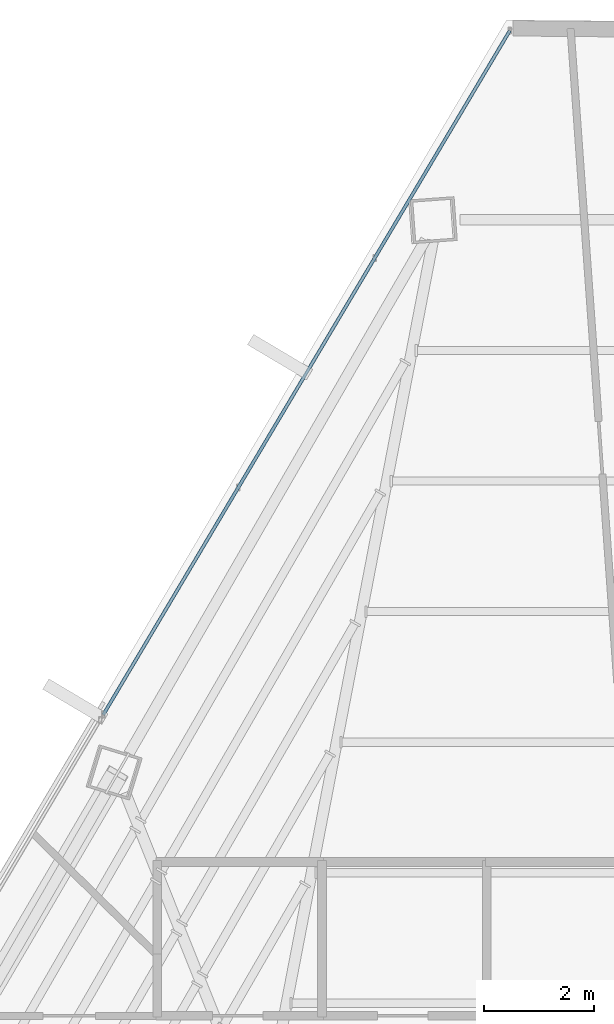
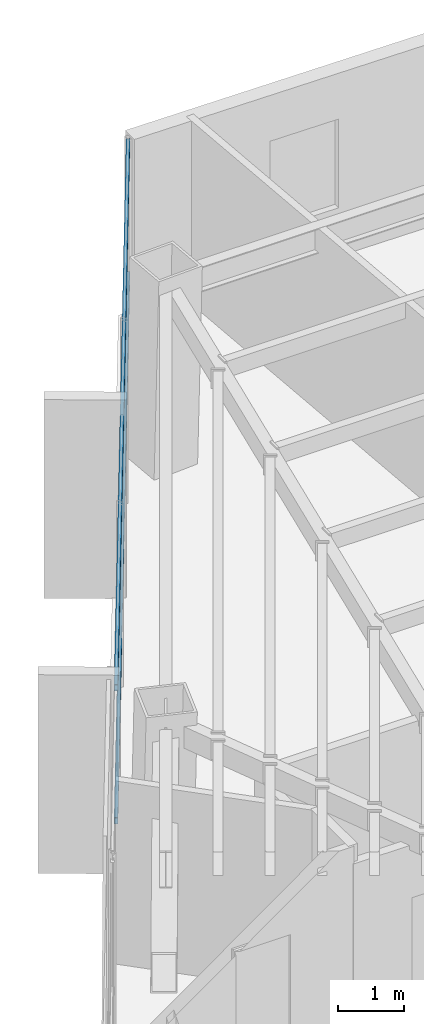
# One storey, part 32 of 49: 2 members, 1 element without a shape of its own.
"""IFC4 building model written with IfcOpenShell, lengths in metres."""

from ifc_helpers import new_model, si_unit, direction, frame, origin, origin_2d, place, context, subcontext, project, spatial, hollow_rectangle, extrude, source, transform, mapped, material, material_profile, profile_set, type_object, type_shapes, element, aggregate, save


model = new_model("IFC4")

# Units and contexts
model_context = context("Model", 3, precision=1e-05, world=origin(), true_north=direction((0.0, 1.0)))
body_context = subcontext(model_context, "Body", "Model", "MODEL_VIEW")
ifc_project = project(units=[si_unit("LENGTHUNIT", "METRE"), si_unit("AREAUNIT", "SQUARE_METRE"), si_unit("VOLUMEUNIT", "CUBIC_METRE"), si_unit("PLANEANGLEUNIT", "RADIAN"), si_unit("MASSUNIT", "GRAM", prefix="KILO")], contexts=[model_context])

# Site, building, storey
site_placement = place(None, origin())
site = spatial("IfcSite", under=ifc_project, at=site_placement, CompositionType="ELEMENT")
building_placement = place(site_placement, origin())
building = spatial("IfcBuilding", under=site, at=building_placement, Name="Caelisora Broadcast Tower", CompositionType="ELEMENT")
storey_placement = place(building_placement, frame((0.0, 0.0, 233.5)))
storey = spatial("IfcBuildingStorey", under=building, at=storey_placement, Name="L61", CompositionType="ELEMENT", Elevation=233.5)

# Curtain wall, members
ifc_material_1 = material(Name="Unitised Aluminium and Low-E Glass Curtain Wall", Category="glass")
curtain_wall_type = type_object("IfcCurtainWallType", Name="CW-Z5", PredefinedType="NOTDEFINED", material=ifc_material_1)
curtain_wall_placement = place(storey_placement, origin())
curtain_wall = element("IfcCurtainWall", 1, at=curtain_wall_placement, inside=storey, type_object=curtain_wall_type, Name="L61 curtain wall CW-Z5", PredefinedType="NOTDEFINED")
ifc_material_2 = material(Name="Aluminium 6063-T6 Anodised Terracotta Bronze", Category="aluminium")
ifc_material_profile = material_profile(ifc_material_2, hollow_rectangle(XDim=0.06005859375, YDim=0.1201171875, WallThickness=0.0029296875, at=origin_2d()), Name="Aluminium 6063-T6 Anodised Terracotta Bronze")
ifc_profile_set = profile_set([ifc_material_profile], Name="Aluminium 6063-T6 Anodised Terracotta Bronze")
member_type = type_object("IfcMemberType", Name="CWT-03", PredefinedType="USERDEFINED", material=ifc_profile_set)
shared_shape = source(origin(), body_context, "Body", "SweptSolid", [
    extrude(hollow_rectangle(XDim=0.06005859375, YDim=0.1201171875, WallThickness=0.0029296875, at=origin_2d()), origin(), (0.0, 0.0, 1.0), 14.48779296875),
])
type_shapes(member_type, [shared_shape])
member_1_placement = place(storey_placement, frame((27.61865234375, 37.632568359375, 0.85009765625), z_axis=(0.510900411579, 0.85963990685, 0.0), x_axis=(-0.85963990685, 0.510900411579, 0.0)))
member_1 = element("IfcMember", 2, at=member_1_placement, type_object=member_type, Name="L61-CW-B11 transom #1", ObjectType="TRANSOM", PredefinedType="USERDEFINED", context=body_context, shape_type="MappedRepresentation", body=[
    mapped(shared_shape, transform((0.0, 0.0, 0.0), scale=1.0)),
])
member_2_placement = place(storey_placement, frame((27.61865234375, 37.632568359375, 3.320068359375), z_axis=(0.510900411579, 0.85963990685, 0.0), x_axis=(-0.85963990685, 0.510900411579, 0.0)))
member_2 = element("IfcMember", 3, at=member_2_placement, type_object=member_type, Name="L61-CW-B11 transom #2", ObjectType="TRANSOM", PredefinedType="USERDEFINED", context=body_context, shape_type="MappedRepresentation", body=[
    mapped(shared_shape, transform((0.0, 0.0, 0.0), scale=1.0)),
])
aggregate(curtain_wall, [member_1, member_2])

save(model, "model.ifc")
